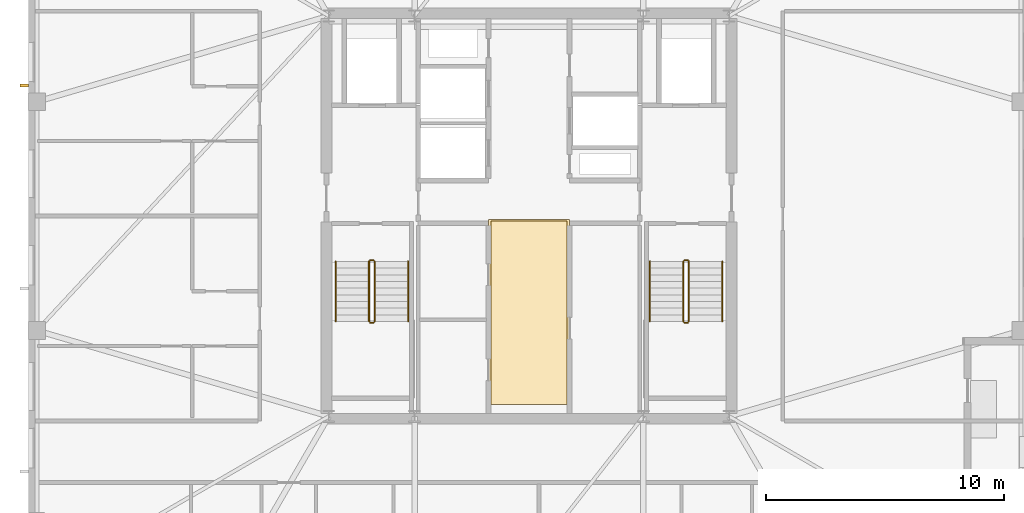
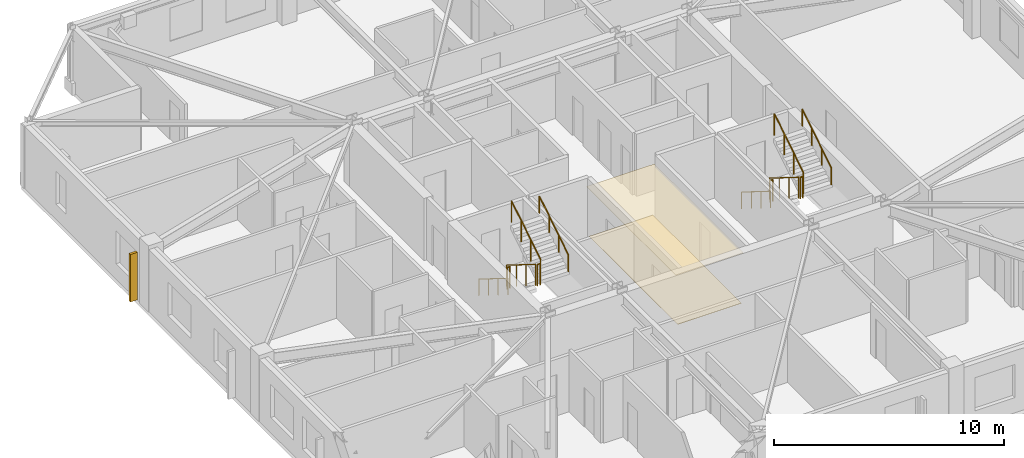
# One storey, part 13 of 15: 12 railings, 2 coverings, 1 shading device.
"""IFC4 building model written with IfcOpenShell, lengths in metres."""

import ifcopenshell
import ifcopenshell.guid

model = None  # the IFC model being written
_history = None  # IfcOwnerHistory: only IFC2X3 demands one
_inside = {}  # id of a spatial element -> (the spatial element, [elements in it])
_under = {}  # id of a project, library or spatial element -> (it, [spatial elements below it])
_declared = {}  # id of a project -> (the project, [libraries it declares])
_typed = {}  # id of a type object -> (the type object, [elements of that type])
_made_of = {}  # id of a material, layer set ... -> (it, [elements and type objects made of it])


def new_model(schema):
    """Start an empty IFC model of exactly this schema.

    Asked for "IFC4X3", IfcOpenShell would pick the latest addendum, in which some entities
    have other attributes; the version numbers below select the first issue.
    IFC2X3 requires an IfcOwnerHistory on every rooted entity: one is made here for all.
    """
    global model, _history
    if schema == "IFC4X3":
        model = ifcopenshell.file(schema_version=(4, 3, 0, 0))
    else:
        model = ifcopenshell.file(schema=schema)
    _inside.clear()
    _under.clear()
    _declared.clear()
    _typed.clear()
    _made_of.clear()
    _history = None
    if model.schema == "IFC2X3":
        org = make("IfcOrganization", Name="unknown")
        user = make(
            "IfcPersonAndOrganization",
            ThePerson=make("IfcPerson", FamilyName="unknown"),
            TheOrganization=org,
        )
        app = make(
            "IfcApplication",
            ApplicationDeveloper=org,
            Version="unknown",
            ApplicationFullName="unknown",
            ApplicationIdentifier="unknown",
        )
        _history = make(
            "IfcOwnerHistory",
            OwningUser=user,
            OwningApplication=app,
            ChangeAction="ADDED",
            CreationDate=0,
        )
    return model


def make(cls, **values):
    """One entity of the class cls with the attributes given. An attribute that is None is left unset."""
    return model.create_entity(
        cls, **{name: value for name, value in values.items() if value is not None}
    )


def rooted(cls, **values):
    """An entity with a GlobalId (a new one), such as an element, a storey or a relation."""
    return make(cls, GlobalId=ifcopenshell.guid.new(), OwnerHistory=_history, **values)


def si_unit(unit_type, name, prefix=None):
    """IfcSIUnit, for example si_unit("LENGTHUNIT", "METRE", prefix="MILLI")."""
    return make("IfcSIUnit", UnitType=unit_type, Prefix=prefix, Name=name)


def assignment(units):
    """IfcUnitAssignment: the units of a project."""
    return None if units is None else make("IfcUnitAssignment", Units=units)


def point(xyz):
    """IfcCartesianPoint."""
    return None if xyz is None else make("IfcCartesianPoint", Coordinates=xyz)


def direction(xyz):
    """IfcDirection."""
    return None if xyz is None else make("IfcDirection", DirectionRatios=xyz)


def frame(location, z_axis=None, x_axis=None):
    """IfcAxis2Placement3D, a coordinate frame: its origin and axes. An axis left out is left unset."""
    return make(
        "IfcAxis2Placement3D",
        Location=point(location),
        Axis=direction(z_axis),
        RefDirection=direction(x_axis),
    )


def frame_2d(location, x_axis=None):
    """IfcAxis2Placement2D, a coordinate frame in the plane: its origin and x axis."""
    return make(
        "IfcAxis2Placement2D", Location=point(location), RefDirection=direction(x_axis)
    )


def origin():
    """The frame at (0, 0, 0) with its axes left unset."""
    return frame((0.0, 0.0, 0.0))


def origin_2d():
    """The frame at (0, 0) in the plane with its x axis left unset."""
    return frame_2d((0.0, 0.0))


def place(relative_to, where):
    """IfcLocalPlacement: puts the frame where relative to a parent placement (None: the world)."""
    return make(
        "IfcLocalPlacement", PlacementRelTo=relative_to, RelativePlacement=where
    )


def context(
    kind, dimensions, precision=None, world=None, true_north=None, identifier=None
):
    """IfcGeometricRepresentationContext, for example the 3D "Model" context."""
    return make(
        "IfcGeometricRepresentationContext",
        ContextIdentifier=identifier,
        ContextType=kind,
        CoordinateSpaceDimension=dimensions,
        Precision=precision,
        WorldCoordinateSystem=world,
        TrueNorth=true_north,
    )


def subcontext(parent, identifier, kind, view, scale=None):
    """IfcGeometricRepresentationSubContext, for example "Body" below "Model"."""
    return make(
        "IfcGeometricRepresentationSubContext",
        ContextIdentifier=identifier,
        ContextType=kind,
        ParentContext=parent,
        TargetScale=scale,
        TargetView=view,
    )


def project(units=None, contexts=None):
    """IfcProject with its units and contexts."""
    return rooted(
        "IfcProject",
        Name="project",
        RepresentationContexts=contexts,
        UnitsInContext=assignment(units),
    )


def spatial(cls, under=None, at=None, **own):
    """A site, building, storey or space (cls), placed at a placement, below another one or the project."""
    s = rooted(cls, ObjectPlacement=at, **own)
    if under is not None:
        _under.setdefault(under.id(), (under, []))[1].append(s)
    return s


def polyline(points):
    """IfcPolyline through the points."""
    return make("IfcPolyline", Points=[point(p) for p in points])


def profile(cls, at=None, kind="AREA", **sizes):
    """A parametric profile (cls). Its sizes go by their IFC names, for example OverallWidth=200.0."""
    return make(cls, ProfileType=kind, Position=at, **sizes)


def rectangle(**sizes):
    """IfcRectangleProfileDef."""
    return profile("IfcRectangleProfileDef", **sizes)


def circle(**sizes):
    """IfcCircleProfileDef."""
    return profile("IfcCircleProfileDef", **sizes)


def outline(outer, holes=None, kind="AREA"):
    """IfcArbitraryClosedProfileDef: a profile drawn as a closed curve; with holes, ...WithVoids."""
    if holes is None:
        return make("IfcArbitraryClosedProfileDef", ProfileType=kind, OuterCurve=outer)
    return make(
        "IfcArbitraryProfileDefWithVoids",
        ProfileType=kind,
        OuterCurve=outer,
        InnerCurves=holes,
    )


def extrude(swept, where, along, depth):
    """IfcExtrudedAreaSolid: the profile swept, set in the frame where, extruded along a direction by depth."""
    return make(
        "IfcExtrudedAreaSolid",
        SweptArea=swept,
        Position=where,
        ExtrudedDirection=direction(along),
        Depth=depth,
    )


def shape(context_of_items, identifier, shape_type, items):
    """IfcShapeRepresentation: the items that make up one representation, for example the "Body"."""
    return make(
        "IfcShapeRepresentation",
        ContextOfItems=context_of_items,
        RepresentationIdentifier=identifier,
        RepresentationType=shape_type,
        Items=items,
    )


def material(Name=None, Category=None):
    """IfcMaterial."""
    return make("IfcMaterial", Name=Name, Category=Category)


def layer(
    of_material, thickness, ventilated=None, Name=None, Category=None, Priority=None
):
    """IfcMaterialLayer: one layer of a wall or slab, of a material (None: an air gap)."""
    return make(
        "IfcMaterialLayer",
        Material=of_material,
        LayerThickness=thickness,
        IsVentilated=ventilated,
        Name=Name,
        Category=Category,
        Priority=Priority,
    )


def layer_set(layers, Name=None):
    """IfcMaterialLayerSet."""
    return make("IfcMaterialLayerSet", MaterialLayers=layers, LayerSetName=Name)


def made_of(thing, what):
    """Note that an element or type object is made of a material, layer set ...; save() writes the relation."""
    if what is not None:
        _made_of.setdefault(what.id(), (what, []))[1].append(thing)
    return thing


def type_object(cls, material=None, **own):
    """A type object (cls), such as IfcWallType, which elements share."""
    return made_of(rooted(cls, **own), material)


def element(
    cls,
    number,
    at=None,
    inside=None,
    cuts=None,
    type_object=None,
    material=None,
    context=None,
    identifier="Body",
    shape_type=None,
    held_by="IfcProductDefinitionShape",
    body=None,
    shapes=None,
    **own,
):
    """One element of the class cls, such as IfcWall. Its Tag is "e" and its number.

    at: its placement. inside: the storey or other place that contains it. cuts: it is an
    opening in that element (IfcRelVoidsElement). A single representation is given by context,
    identifier, shape_type and body (its items); several are given by shapes. held_by: the class
    of the entity that holds the representations. save() writes the other relations.
    """
    e = rooted(cls, Tag="e%d" % number, ObjectPlacement=at, **own)
    if body is not None:
        shapes = [shape(context, identifier, shape_type, body)]
    if shapes is not None:
        e.Representation = make(held_by, Representations=shapes)
    if inside is not None:
        _inside.setdefault(inside.id(), (inside, []))[1].append(e)
    if cuts is not None:
        rooted(
            "IfcRelVoidsElement", RelatingBuildingElement=cuts, RelatedOpeningElement=e
        )
    if type_object is not None:
        _typed.setdefault(type_object.id(), (type_object, []))[1].append(e)
    return made_of(e, material)


def aggregate(whole, parts):
    """IfcRelAggregates: a whole, such as a stair, and the parts it consists of."""
    return rooted("IfcRelAggregates", RelatingObject=whole, RelatedObjects=parts)


def save(model, path):
    """Write the relations noted so far, then the file.

    IfcRelAggregates (storeys below a building ...), IfcRelContainedInSpatialStructure (elements
    in a storey), IfcRelDefinesByType, IfcRelAssociatesMaterial and IfcRelDeclares: one each for
    every whole, place, type object, material and project.
    """
    for whole, parts in _under.values():
        aggregate(whole, parts)
    for where, things in _inside.values():
        rooted(
            "IfcRelContainedInSpatialStructure",
            RelatedElements=things,
            RelatingStructure=where,
        )
    for kind, things in _typed.values():
        rooted("IfcRelDefinesByType", RelatedObjects=things, RelatingType=kind)
    for what, things in _made_of.values():
        rooted("IfcRelAssociatesMaterial", RelatedObjects=things, RelatingMaterial=what)
    for by, libraries in _declared.values():
        rooted("IfcRelDeclares", RelatingContext=by, RelatedDefinitions=libraries)
    model.write(path)


model = new_model("IFC4")

# Units and contexts
model_context = context("Model", 3, precision=1e-05, world=origin(), true_north=direction((0.0, 1.0)))
body_context = subcontext(model_context, "Body", "Model", "MODEL_VIEW")
ifc_project = project(units=[si_unit("LENGTHUNIT", "METRE"), si_unit("AREAUNIT", "SQUARE_METRE"), si_unit("VOLUMEUNIT", "CUBIC_METRE"), si_unit("PLANEANGLEUNIT", "RADIAN"), si_unit("MASSUNIT", "GRAM", prefix="KILO")], contexts=[model_context])

# Site, building, storey
site_placement = place(None, origin())
site = spatial("IfcSite", under=ifc_project, at=site_placement, CompositionType="ELEMENT")
building_placement = place(site_placement, origin())
building = spatial("IfcBuilding", under=site, at=building_placement, Name="Cairnveth Concourse Tower", CompositionType="ELEMENT")
storey_placement = place(building_placement, frame((0.0, 0.0, 298.0)))
storey = spatial("IfcBuildingStorey", under=building, at=storey_placement, Name="L82", CompositionType="ELEMENT", Elevation=298.0)

# Covering
ifc_material_1 = material(Name="Acoustic Mineral Fibre Ceiling", Category="gypsum")
ifc_layer_1 = layer(ifc_material_1, 0.02490234375)
ifc_layer_set_1 = layer_set([ifc_layer_1], Name="Acoustic Mineral Fibre Ceiling")
covering_type_1 = type_object("IfcCoveringType", Name="ACOUSTIC MINERAL FIBRE CEILING 25", PredefinedType="CEILING", material=ifc_layer_set_1)
covering_1_placement = place(storey_placement, frame((0.0, 0.0, 2.637939453125)))
element("IfcCovering", 1, at=covering_1_placement, inside=storey, type_object=covering_type_1, Name="Lift Lobby Acoustic Ceiling L82", PredefinedType="CEILING", context=body_context, shape_type="SweptSolid", body=[
    extrude(outline(polyline([(50.300048828125, 31.10009765625), (53.699951171875, 31.10009765625), (53.699951171875, 38.85009765625), (50.300048828125, 38.85009765625), (50.300048828125, 31.10009765625)])), origin(), (0.0, 0.0, 1.0), 0.025146484375),
])

# Shading device
ifc_material_2 = material(Name="Architectural Bronze Anodised Aluminium 6063-T6", Category="aluminium")
shading_device_type = type_object("IfcShadingDeviceType", Name="GOTHIC BRONZE VERTICAL LANCET FIN", PredefinedType="USERDEFINED", material=ifc_material_2)
shading_device_placement = place(storey_placement, frame((30.824951171875, 44.4814453125, 0.030029296875), z_axis=(0.0, 0.0, 1.0), x_axis=(0.0, 1.0, 0.0)))
element("IfcShadingDevice", 2, at=shading_device_placement, inside=storey, type_object=shading_device_type, Name="Gothic Bronze Vertical Fin L82-6-5", ObjectType="VERTICAL FIN", PredefinedType="USERDEFINED", context=body_context, shape_type="SweptSolid", body=[
    extrude(rectangle(XDim=0.1201171875, YDim=0.360107421875, at=origin_2d()), origin(), (0.0, 0.0, 1.0), 2.51806640625),
])

# Railings
ifc_material_3 = material(Name="Steel Grade 350", Category="steel")
railing_type_1 = type_object("IfcRailingType", Name="STAIR GUARDRAIL 1150", PredefinedType="GUARDRAIL", material=ifc_material_3)
railing_1_placement = place(storey_placement, frame((45.2900390625, 37.10009765625, 0.175048828125)))
element("IfcRailing", 3, at=railing_1_placement, inside=storey, type_object=railing_type_1, Name="L82 ST-1 stair guard 1", PredefinedType="GUARDRAIL", context=body_context, shape_type="SweptSolid", body=[
    extrude(circle(Radius=0.02392578125, at=origin_2d()), frame((0.0, 0.0, 1.1259765625), z_axis=(0.0, -0.848007534815, 0.529984170421), x_axis=(1.0, 0.0, 0.0)), (0.0, 0.0, 1.0), 2.9716796875),
    extrude(circle(Radius=0.02099609375, at=origin_2d()), origin(), (0.0, 0.0, 1.0), 1.101806640625),
    extrude(circle(Radius=0.02099609375, at=origin_2d()), frame((0.0, -0.840087890625, 0.52490234375)), (0.0, 0.0, 1.0), 1.101806640625),
    extrude(circle(Radius=0.02099609375, at=origin_2d()), frame((0.0, -1.679931640625, 1.050048828125)), (0.0, 0.0, 1.0), 1.101806640625),
    extrude(circle(Radius=0.02099609375, at=origin_2d()), frame((0.0, -2.52001953125, 1.574951171875)), (0.0, 0.0, 1.0), 1.101806640625),
])
railing_2_placement = place(storey_placement, frame((45.340087890625, 34.530029296875, 1.75)))
element("IfcRailing", 4, at=railing_2_placement, inside=storey, type_object=railing_type_1, Name="L82 ST-1 stair guard 2", PredefinedType="GUARDRAIL", context=body_context, shape_type="SweptSolid", body=[
    extrude(circle(Radius=0.02392578125, at=origin_2d()), frame((0.0, 0.0, 1.1259765625), z_axis=(1.0, 0.0, 0.0), x_axis=(0.0, 1.0, 0.0)), (0.0, 0.0, 1.0), 0.139892578125),
    extrude(circle(Radius=0.02099609375, at=origin_2d()), origin(), (0.0, 0.0, 1.0), 1.101806640625),
    extrude(circle(Radius=0.02099609375, at=origin_2d()), frame((0.139892578125, 0.0, 0.0)), (0.0, 0.0, 1.0), 1.101806640625),
])
railing_3_placement = place(storey_placement, frame((45.530029296875, 34.580078125, 1.925048828125)))
element("IfcRailing", 5, at=railing_3_placement, inside=storey, type_object=railing_type_1, Name="L82 ST-1 stair guard 3", PredefinedType="GUARDRAIL", context=body_context, shape_type="SweptSolid", body=[
    extrude(circle(Radius=0.02392578125, at=origin_2d()), frame((0.0, 0.0, 1.1259765625), z_axis=(0.0, 0.848007534815, 0.529984170421), x_axis=(-1.0, 0.0, 0.0)), (0.0, 0.0, 1.0), 2.9716796875),
    extrude(circle(Radius=0.02099609375, at=origin_2d()), origin(), (0.0, 0.0, 1.0), 1.101806640625),
    extrude(circle(Radius=0.02099609375, at=origin_2d()), frame((0.0, 0.840087890625, 0.52490234375)), (0.0, 0.0, 1.0), 1.101806640625),
    extrude(circle(Radius=0.02099609375, at=origin_2d()), frame((0.0, 1.679931640625, 1.050048828125)), (0.0, 0.0, 1.0), 1.101806640625),
    extrude(circle(Radius=0.02099609375, at=origin_2d()), frame((0.0, 2.52001953125, 1.574951171875)), (0.0, 0.0, 1.0), 1.101806640625),
])
railing_4_placement = place(storey_placement, frame((45.340087890625, 37.14990234375, 0.0)))
element("IfcRailing", 6, at=railing_4_placement, inside=storey, type_object=railing_type_1, Name="L82 ST-1 stair guard 4", PredefinedType="GUARDRAIL", context=body_context, shape_type="SweptSolid", body=[
    extrude(circle(Radius=0.02392578125, at=origin_2d()), frame((0.0, 0.0, 1.1259765625), z_axis=(1.0, 0.0, 0.0), x_axis=(0.0, 1.0, 0.0)), (0.0, 0.0, 1.0), 0.139892578125),
    extrude(circle(Radius=0.02099609375, at=origin_2d()), origin(), (0.0, 0.0, 1.0), 1.101806640625),
    extrude(circle(Radius=0.02099609375, at=origin_2d()), frame((0.139892578125, 0.0, 0.0)), (0.0, 0.0, 1.0), 1.101806640625),
])
railing_5_placement = place(storey_placement, frame((58.469970703125, 37.10009765625, 0.175048828125)))
element("IfcRailing", 7, at=railing_5_placement, inside=storey, type_object=railing_type_1, Name="L82 ST-2 stair guard 1", PredefinedType="GUARDRAIL", context=body_context, shape_type="SweptSolid", body=[
    extrude(circle(Radius=0.02392578125, at=origin_2d()), frame((0.0, 0.0, 1.1259765625), z_axis=(0.0, -0.848007534815, 0.529984170421), x_axis=(1.0, 0.0, 0.0)), (0.0, 0.0, 1.0), 2.9716796875),
    extrude(circle(Radius=0.02099609375, at=origin_2d()), origin(), (0.0, 0.0, 1.0), 1.101806640625),
    extrude(circle(Radius=0.02099609375, at=origin_2d()), frame((0.0, -0.840087890625, 0.52490234375)), (0.0, 0.0, 1.0), 1.101806640625),
    extrude(circle(Radius=0.02099609375, at=origin_2d()), frame((0.0, -1.679931640625, 1.050048828125)), (0.0, 0.0, 1.0), 1.101806640625),
    extrude(circle(Radius=0.02099609375, at=origin_2d()), frame((0.0, -2.52001953125, 1.574951171875)), (0.0, 0.0, 1.0), 1.101806640625),
])
railing_6_placement = place(storey_placement, frame((58.52001953125, 34.530029296875, 1.75)))
element("IfcRailing", 8, at=railing_6_placement, inside=storey, type_object=railing_type_1, Name="L82 ST-2 stair guard 2", PredefinedType="GUARDRAIL", context=body_context, shape_type="SweptSolid", body=[
    extrude(circle(Radius=0.02392578125, at=origin_2d()), frame((0.0, 0.0, 1.1259765625), z_axis=(1.0, 0.0, 0.0), x_axis=(0.0, 1.0, 0.0)), (0.0, 0.0, 1.0), 0.139892578125),
    extrude(circle(Radius=0.02099609375, at=origin_2d()), origin(), (0.0, 0.0, 1.0), 1.101806640625),
    extrude(circle(Radius=0.02099609375, at=origin_2d()), frame((0.139892578125, 0.0, 0.0)), (0.0, 0.0, 1.0), 1.101806640625),
])
railing_7_placement = place(storey_placement, frame((58.7099609375, 34.580078125, 1.925048828125)))
element("IfcRailing", 9, at=railing_7_placement, inside=storey, type_object=railing_type_1, Name="L82 ST-2 stair guard 3", PredefinedType="GUARDRAIL", context=body_context, shape_type="SweptSolid", body=[
    extrude(circle(Radius=0.02392578125, at=origin_2d()), frame((0.0, 0.0, 1.1259765625), z_axis=(0.0, 0.848007534815, 0.529984170421), x_axis=(-1.0, 0.0, 0.0)), (0.0, 0.0, 1.0), 2.9716796875),
    extrude(circle(Radius=0.02099609375, at=origin_2d()), origin(), (0.0, 0.0, 1.0), 1.101806640625),
    extrude(circle(Radius=0.02099609375, at=origin_2d()), frame((0.0, 0.840087890625, 0.52490234375)), (0.0, 0.0, 1.0), 1.101806640625),
    extrude(circle(Radius=0.02099609375, at=origin_2d()), frame((0.0, 1.679931640625, 1.050048828125)), (0.0, 0.0, 1.0), 1.101806640625),
    extrude(circle(Radius=0.02099609375, at=origin_2d()), frame((0.0, 2.52001953125, 1.574951171875)), (0.0, 0.0, 1.0), 1.101806640625),
])
railing_8_placement = place(storey_placement, frame((58.52001953125, 37.14990234375, 0.0)))
element("IfcRailing", 10, at=railing_8_placement, inside=storey, type_object=railing_type_1, Name="L82 ST-2 stair guard 4", PredefinedType="GUARDRAIL", context=body_context, shape_type="SweptSolid", body=[
    extrude(circle(Radius=0.02392578125, at=origin_2d()), frame((0.0, 0.0, 1.1259765625), z_axis=(1.0, 0.0, 0.0), x_axis=(0.0, 1.0, 0.0)), (0.0, 0.0, 1.0), 0.139892578125),
    extrude(circle(Radius=0.02099609375, at=origin_2d()), origin(), (0.0, 0.0, 1.0), 1.101806640625),
    extrude(circle(Radius=0.02099609375, at=origin_2d()), frame((0.139892578125, 0.0, 0.0)), (0.0, 0.0, 1.0), 1.101806640625),
])
railing_type_2 = type_object("IfcRailingType", Name="STAIR WALL HANDRAIL 900", PredefinedType="HANDRAIL", material=ifc_material_3)
railing_9_placement = place(storey_placement, frame((43.889892578125, 37.10009765625, 0.175048828125)))
element("IfcRailing", 11, at=railing_9_placement, inside=storey, type_object=railing_type_2, Name="L82 ST-1 stair handrail 1", PredefinedType="HANDRAIL", context=body_context, shape_type="SweptSolid", body=[
    extrude(circle(Radius=0.02392578125, at=origin_2d()), frame((0.0, 0.0, 0.8759765625), z_axis=(0.0, -0.848007534815, 0.529984170421), x_axis=(1.0, 0.0, 0.0)), (0.0, 0.0, 1.0), 2.9716796875),
    extrude(circle(Radius=0.02099609375, at=origin_2d()), origin(), (0.0, 0.0, 1.0), 0.851806640625),
    extrude(circle(Radius=0.02099609375, at=origin_2d()), frame((0.0, -0.840087890625, 0.52490234375)), (0.0, 0.0, 1.0), 0.851806640625),
    extrude(circle(Radius=0.02099609375, at=origin_2d()), frame((0.0, -1.679931640625, 1.050048828125)), (0.0, 0.0, 1.0), 0.851806640625),
    extrude(circle(Radius=0.02099609375, at=origin_2d()), frame((0.0, -2.52001953125, 1.574951171875)), (0.0, 0.0, 1.0), 0.851806640625),
])
railing_10_placement = place(storey_placement, frame((46.929931640625, 34.580078125, 1.925048828125)))
element("IfcRailing", 12, at=railing_10_placement, inside=storey, type_object=railing_type_2, Name="L82 ST-1 stair handrail 2", PredefinedType="HANDRAIL", context=body_context, shape_type="SweptSolid", body=[
    extrude(circle(Radius=0.02392578125, at=origin_2d()), frame((0.0, 0.0, 0.8759765625), z_axis=(0.0, 0.848007534815, 0.529984170421), x_axis=(-1.0, 0.0, 0.0)), (0.0, 0.0, 1.0), 2.9716796875),
    extrude(circle(Radius=0.02099609375, at=origin_2d()), origin(), (0.0, 0.0, 1.0), 0.851806640625),
    extrude(circle(Radius=0.02099609375, at=origin_2d()), frame((0.0, 0.840087890625, 0.52490234375)), (0.0, 0.0, 1.0), 0.851806640625),
    extrude(circle(Radius=0.02099609375, at=origin_2d()), frame((0.0, 1.679931640625, 1.050048828125)), (0.0, 0.0, 1.0), 0.851806640625),
    extrude(circle(Radius=0.02099609375, at=origin_2d()), frame((0.0, 2.52001953125, 1.574951171875)), (0.0, 0.0, 1.0), 0.851806640625),
])
railing_11_placement = place(storey_placement, frame((57.070068359375, 37.10009765625, 0.175048828125)))
element("IfcRailing", 13, at=railing_11_placement, inside=storey, type_object=railing_type_2, Name="L82 ST-2 stair handrail 1", PredefinedType="HANDRAIL", context=body_context, shape_type="SweptSolid", body=[
    extrude(circle(Radius=0.02392578125, at=origin_2d()), frame((0.0, 0.0, 0.8759765625), z_axis=(0.0, -0.848007534815, 0.529984170421), x_axis=(1.0, 0.0, 0.0)), (0.0, 0.0, 1.0), 2.9716796875),
    extrude(circle(Radius=0.02099609375, at=origin_2d()), origin(), (0.0, 0.0, 1.0), 0.851806640625),
    extrude(circle(Radius=0.02099609375, at=origin_2d()), frame((0.0, -0.840087890625, 0.52490234375)), (0.0, 0.0, 1.0), 0.851806640625),
    extrude(circle(Radius=0.02099609375, at=origin_2d()), frame((0.0, -1.679931640625, 1.050048828125)), (0.0, 0.0, 1.0), 0.851806640625),
    extrude(circle(Radius=0.02099609375, at=origin_2d()), frame((0.0, -2.52001953125, 1.574951171875)), (0.0, 0.0, 1.0), 0.851806640625),
])
railing_12_placement = place(storey_placement, frame((60.110107421875, 34.580078125, 1.925048828125)))
element("IfcRailing", 14, at=railing_12_placement, inside=storey, type_object=railing_type_2, Name="L82 ST-2 stair handrail 2", PredefinedType="HANDRAIL", context=body_context, shape_type="SweptSolid", body=[
    extrude(circle(Radius=0.02392578125, at=origin_2d()), frame((0.0, 0.0, 0.8759765625), z_axis=(0.0, 0.848007534815, 0.529984170421), x_axis=(-1.0, 0.0, 0.0)), (0.0, 0.0, 1.0), 2.9716796875),
    extrude(circle(Radius=0.02099609375, at=origin_2d()), origin(), (0.0, 0.0, 1.0), 0.851806640625),
    extrude(circle(Radius=0.02099609375, at=origin_2d()), frame((0.0, 0.840087890625, 0.52490234375)), (0.0, 0.0, 1.0), 0.851806640625),
    extrude(circle(Radius=0.02099609375, at=origin_2d()), frame((0.0, 1.679931640625, 1.050048828125)), (0.0, 0.0, 1.0), 0.851806640625),
    extrude(circle(Radius=0.02099609375, at=origin_2d()), frame((0.0, 2.52001953125, 1.574951171875)), (0.0, 0.0, 1.0), 0.851806640625),
])

# Covering
ifc_material_4 = material(Name="Vitrified Stoneware Tile Flooring", Category="masonry")
ifc_layer_2 = layer(ifc_material_4, 0.02001953125)
ifc_layer_set_2 = layer_set([ifc_layer_2], Name="Vitrified Stoneware Tile Flooring")
covering_type_2 = type_object("IfcCoveringType", Name="VITRIFIED STONEWARE LOBBY FLOORING 20", PredefinedType="FLOORING", material=ifc_layer_set_2)
covering_2_placement = place(storey_placement, origin())
element("IfcCovering", 15, at=covering_2_placement, inside=storey, type_object=covering_type_2, Name="Lift Lobby Stoneware Flooring L82", PredefinedType="FLOORING", context=body_context, shape_type="SweptSolid", body=[
    extrude(outline(polyline([(50.39990234375, 31.10009765625), (53.60009765625, 31.10009765625), (53.60009765625, 38.800048828125), (50.39990234375, 38.800048828125), (50.39990234375, 31.10009765625)])), origin(), (0.0, 0.0, 1.0), 0.02001953125),
])

save(model, "model.ifc")
